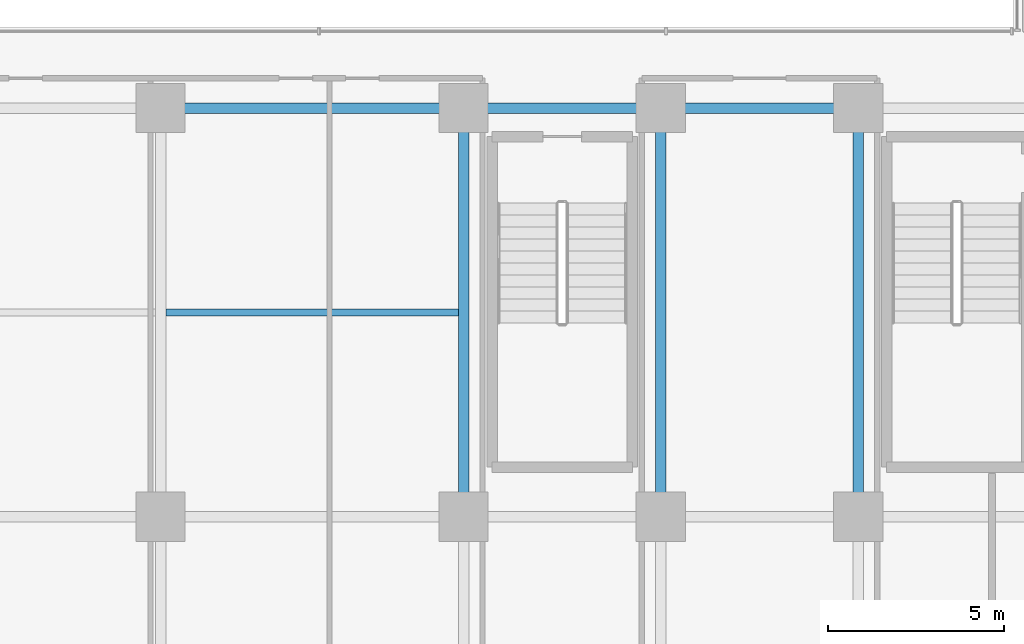
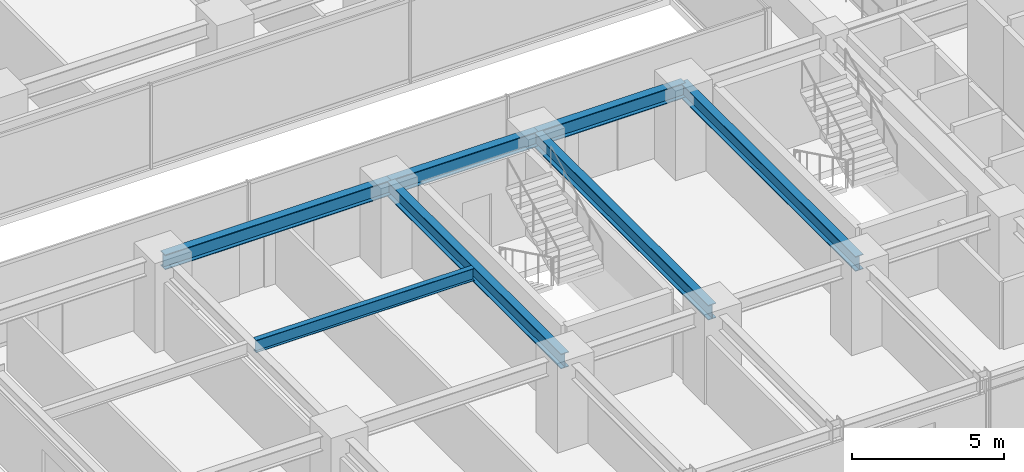
# One storey, part 10 of 38: 7 beams.
"""IFC4 building model written with IfcOpenShell, lengths in metres."""

from ifc_helpers import new_model, si_unit, direction, frame, origin, origin_2d, place, context, subcontext, project, spatial, i_section, extrude, source, transform, mapped, material, material_profile, profile_set, type_object, element, save


model = new_model("IFC4")

# Units and contexts
model_context = context("Model", 3, precision=1e-05, world=origin(), true_north=direction((0.0, 1.0)))
body_context = subcontext(model_context, "Body", "Model", "MODEL_VIEW")
ifc_project = project(units=[si_unit("LENGTHUNIT", "METRE"), si_unit("AREAUNIT", "SQUARE_METRE"), si_unit("VOLUMEUNIT", "CUBIC_METRE"), si_unit("PLANEANGLEUNIT", "RADIAN"), si_unit("MASSUNIT", "GRAM", prefix="KILO")], contexts=[model_context])

# Site, building, storey
site_placement = place(None, origin())
site = spatial("IfcSite", under=ifc_project, at=site_placement, CompositionType="ELEMENT")
building_placement = place(site_placement, origin())
building = spatial("IfcBuilding", under=site, at=building_placement, Name="Nahalor Promenade Grand Hotel", CompositionType="ELEMENT")
storey_placement = place(building_placement, frame((0.0, 0.0, 50.64990234375)))
storey = spatial("IfcBuildingStorey", under=building, at=storey_placement, Name="L11", CompositionType="ELEMENT", Elevation=50.64990234375)

# Beams
ifc_material = material(Name="Steel S355JR", Category="steel")
ifc_material_profile_1 = material_profile(ifc_material, i_section(OverallWidth=0.3, OverallDepth=0.6, WebThickness=0.0155, FlangeThickness=0.03, at=origin_2d()), Name="HEB 600")
ifc_profile_set_1 = profile_set([ifc_material_profile_1], Name="Steel S355JR")
beam_type_1 = type_object("IfcBeamType", Name="Beam-Girder-HEB600", PredefinedType="BEAM", material=ifc_profile_set_1)
shared_shape_1 = source(origin(), body_context, "Body", "SweptSolid", [
    extrude(i_section(OverallWidth=0.3, OverallDepth=0.6, WebThickness=0.0155, FlangeThickness=0.03, at=origin_2d()), origin(), (0.0, 0.0, 1.0), 8.60009765625),
])
beam_1_placement = place(storey_placement, frame((-17.0, -5.39990234375, 3.070068359375), z_axis=(1.0, 0.0, 0.0), x_axis=(0.0, 1.0, 0.0)))
element("IfcBeam", 1, at=beam_1_placement, inside=storey, type_object=beam_type_1, Name="BM-L11-GX-1-1", PredefinedType="BEAM", context=body_context, shape_type="MappedRepresentation", body=[
    mapped(shared_shape_1, transform((0.0, 0.0, 0.0), scale=1.0)),
])
shared_shape_2 = source(origin(), body_context, "Body", "SweptSolid", [
    extrude(i_section(OverallWidth=0.3, OverallDepth=0.6, WebThickness=0.0155, FlangeThickness=0.03, at=origin_2d()), origin(), (0.0, 0.0, 1.0), 5.599853515625),
])
beam_2_placement = place(storey_placement, frame((-8.39990234375, -5.39990234375, 3.070068359375), z_axis=(1.0, 0.0, 0.0), x_axis=(0.0, 1.0, 0.0)))
element("IfcBeam", 2, at=beam_2_placement, inside=storey, type_object=beam_type_1, Name="BM-L11-GX-1-2", PredefinedType="BEAM", context=body_context, shape_type="MappedRepresentation", body=[
    mapped(shared_shape_2, transform((0.0, 0.0, 0.0), scale=1.0)),
])
shared_shape_3 = source(origin(), body_context, "Body", "SweptSolid", [
    extrude(i_section(OverallWidth=0.3, OverallDepth=0.6, WebThickness=0.0155, FlangeThickness=0.03, at=origin_2d()), origin(), (0.0, 0.0, 1.0), 5.60009765625),
])
beam_3_placement = place(storey_placement, frame((-2.800048828125, -5.39990234375, 3.070068359375), z_axis=(1.0, 0.0, 0.0), x_axis=(0.0, 1.0, 0.0)))
element("IfcBeam", 3, at=beam_3_placement, inside=storey, type_object=beam_type_1, Name="BM-L11-GX-1-3", PredefinedType="BEAM", context=body_context, shape_type="MappedRepresentation", body=[
    mapped(shared_shape_3, transform((0.0, 0.0, 0.0), scale=1.0)),
])
shared_shape_4 = source(origin(), body_context, "Body", "SweptSolid", [
    extrude(i_section(OverallWidth=0.3, OverallDepth=0.6, WebThickness=0.0155, FlangeThickness=0.03, at=origin_2d()), origin(), (0.0, 0.0, 1.0), 11.60009765625),
])
for number, where, z_axis, x_axis, name in (
    (4, (-8.39990234375, -17.0, 3.070068359375), (0.0, 1.0, 0.0), (-1.0, 0.0, 0.0), "BM-L11-GY-1-1"),
    (5, (-2.800048828125, -17.0, 3.070068359375), (0.0, 1.0, 0.0), (-1.0, 0.0, 0.0), "BM-L11-GY-2-1"),
    (6, (2.800048828125, -17.0, 3.070068359375), (0.0, 1.0, 0.0), (-1.0, 0.0, 0.0), "BM-L11-GY-3-1"),
):
    element("IfcBeam", number, at=place(storey_placement, frame(where, z_axis=z_axis, x_axis=x_axis)), inside=storey, type_object=beam_type_1, Name=name, PredefinedType="BEAM", context=body_context, shape_type="MappedRepresentation", body=[
        mapped(shared_shape_4, transform((0.0, 0.0, 0.0), scale=1.0)),
    ])
ifc_material_profile_2 = material_profile(ifc_material, i_section(OverallWidth=0.2, OverallDepth=0.5, WebThickness=0.0102, FlangeThickness=0.016, at=origin_2d()), Name="IPE 500")
ifc_profile_set_2 = profile_set([ifc_material_profile_2], Name="Steel S355JR")
beam_type_2 = type_object("IfcBeamType", Name="Beam-Joist-IPE500", PredefinedType="JOIST", material=ifc_profile_set_2)
shared_shape_5 = source(origin(), body_context, "Body", "SweptSolid", [
    extrude(i_section(OverallWidth=0.2, OverallDepth=0.5, WebThickness=0.0102, FlangeThickness=0.016, at=origin_2d()), origin(), (0.0, 0.0, 1.0), 8.300048828125),
])
beam_4_placement = place(storey_placement, frame((-16.85009765625, -11.199951171875, 3.1201171875), z_axis=(1.0, 0.0, 0.0), x_axis=(0.0, 1.0, 0.0)))
element("IfcBeam", 7, at=beam_4_placement, inside=storey, type_object=beam_type_2, Name="BM-L11-JSW-0-1", PredefinedType="JOIST", context=body_context, shape_type="MappedRepresentation", body=[
    mapped(shared_shape_5, transform((0.0, 0.0, 0.0), scale=1.0)),
])

save(model, "model.ifc")
